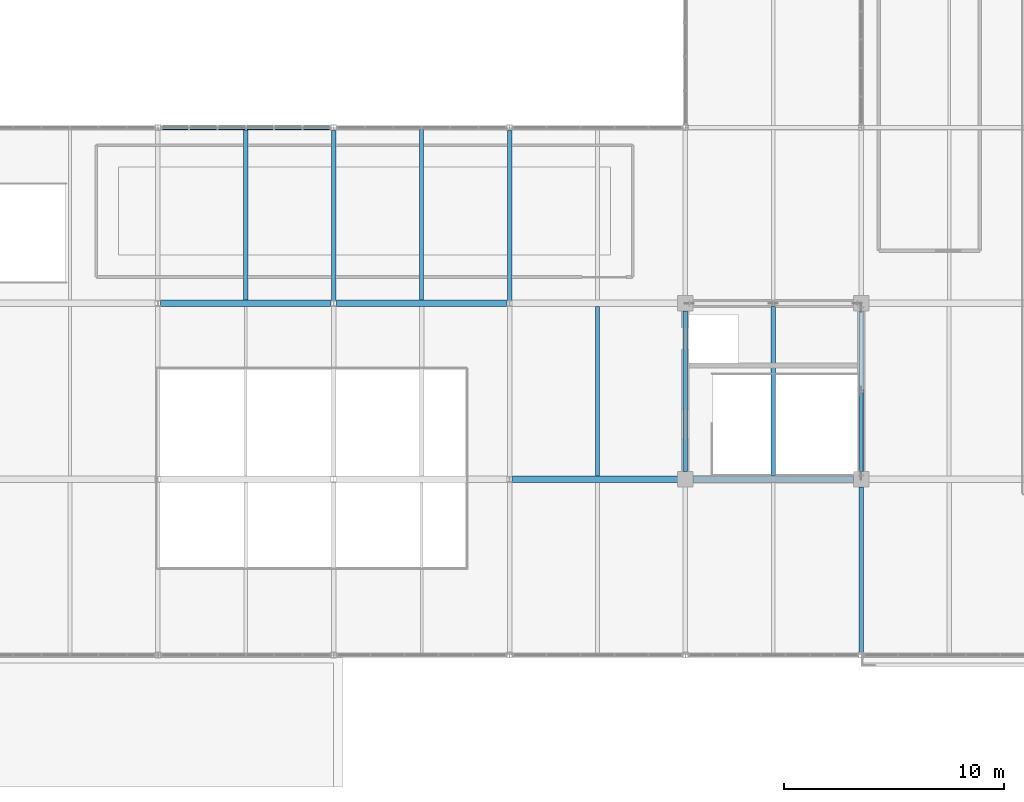
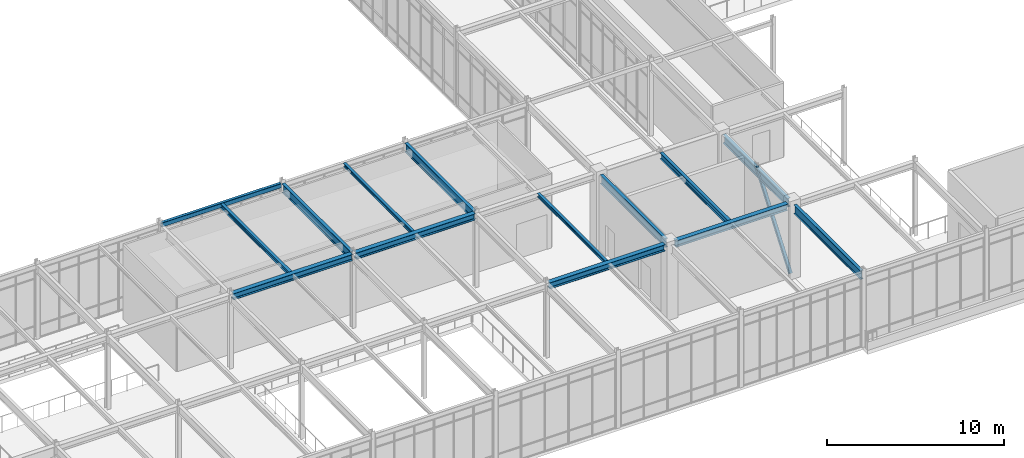
# One storey, part 53 of 184: 14 beams, 1 member.
"""IFC4 building model written with IfcOpenShell, lengths in metres."""

from ifc_helpers import new_model, si_unit, direction, frame, origin, origin_2d, place, context, subcontext, project, spatial, hollow_rectangle, i_section, extrude, material, material_profile, profile_set, type_object, element, save


model = new_model("IFC4")

# Units and contexts
model_context = context("Model", 3, precision=1e-05, world=origin(), true_north=direction((0.0, 1.0)))
body_context = subcontext(model_context, "Body", "Model", "MODEL_VIEW")
ifc_project = project(units=[si_unit("LENGTHUNIT", "METRE"), si_unit("AREAUNIT", "SQUARE_METRE"), si_unit("VOLUMEUNIT", "CUBIC_METRE"), si_unit("PLANEANGLEUNIT", "RADIAN"), si_unit("MASSUNIT", "GRAM", prefix="KILO")], contexts=[model_context])

# Site, building, storey
site_placement = place(None, origin())
site = spatial("IfcSite", under=ifc_project, at=site_placement, CompositionType="ELEMENT")
building_placement = place(site_placement, origin())
building = spatial("IfcBuilding", under=site, at=building_placement, Name="Zhaolan Boulevard Law Courts", CompositionType="ELEMENT")
storey_placement = place(building_placement, frame((0.0, 0.0, 5.39990234375)))
storey = spatial("IfcBuildingStorey", under=building, at=storey_placement, Name="L01", CompositionType="ELEMENT", Elevation=5.39990234375)

# Member
ifc_material_1 = material(Name="Structural steel Q355B", Category="steel")
ifc_material_profile_1 = material_profile(ifc_material_1, hollow_rectangle(XDim=0.199951171875, YDim=0.199951171875, WallThickness=0.010009765625, InnerFilletRadius=0.010009765625, OuterFilletRadius=0.02001953125, at=origin_2d()), Name="HSS200x200x10")
ifc_profile_set_1 = profile_set([ifc_material_profile_1], Name="Structural steel Q355B")
member_type = type_object("IfcMemberType", Name="BRACE HSS200", PredefinedType="BRACE", material=ifc_profile_set_1)
member_placement = place(storey_placement, frame((124.0, 14.179931640625, 0.030029296875), z_axis=(0.0, 0.600251625626, 0.799811218935), x_axis=(-1.0, 0.0, 0.0)))
element("IfcMember", 1, at=member_placement, inside=storey, type_object=member_type, Name="Core Brace BR-P2-L01-E1", PredefinedType="BRACE", context=body_context, shape_type="SweptSolid", body=[
    extrude(hollow_rectangle(XDim=0.199951171875, YDim=0.199951171875, WallThickness=0.010009765625, InnerFilletRadius=0.010009765625, OuterFilletRadius=0.02001953125, at=origin_2d()), origin(), (0.0, 0.0, 1.0), 6.364013671875),
])

# Beams
ifc_material_2 = material(Name="Structural steel Q355B", Category="steel")
ifc_material_profile_2 = material_profile(ifc_material_2, i_section(OverallWidth=0.300048828125, OverallDepth=0.43994140625, WebThickness=0.010986328125, FlangeThickness=0.01806640625, FilletRadius=0.02001953125, at=origin_2d()), Name="HM440x300")
ifc_profile_set_2 = profile_set([ifc_material_profile_2], Name="Structural steel Q355B")
beam_type_1 = type_object("IfcBeamType", Name="GIRDER HM440", PredefinedType="BEAM", material=ifc_profile_set_2)
beam_1_placement = place(storey_placement, frame((108.12109375, 14.0, 4.918212890625), z_axis=(1.0, 0.0, 0.0), x_axis=(0.0, 1.0, 0.0)))
element("IfcBeam", 2, at=beam_1_placement, inside=storey, type_object=beam_type_1, Name="Beam BX-L02-14-15-C", PredefinedType="BEAM", context=body_context, shape_type="SweptSolid", body=[
    extrude(i_section(OverallWidth=0.300048828125, OverallDepth=0.43994140625, WebThickness=0.010986328125, FlangeThickness=0.01806640625, FilletRadius=0.02001953125, at=origin_2d()), origin(), (0.0, 0.0, 1.0), 7.532958984375),
])
beam_2_placement = place(storey_placement, frame((116.345947265625, 14.0, 4.918212890625), z_axis=(1.0, 0.0, 0.0), x_axis=(0.0, 1.0, 0.0)))
element("IfcBeam", 3, at=beam_2_placement, inside=storey, type_object=beam_type_1, Name="Beam BX-L02-15-16-C", PredefinedType="BEAM", context=body_context, shape_type="SweptSolid", body=[
    extrude(i_section(OverallWidth=0.300048828125, OverallDepth=0.43994140625, WebThickness=0.010986328125, FlangeThickness=0.01806640625, FilletRadius=0.02001953125, at=origin_2d()), origin(), (0.0, 0.0, 1.0), 7.30810546875),
])
for number, where, z_axis, x_axis, name in (
    (4, (92.12109375, 22.0, 4.918212890625), (1.0, 0.0, 0.0), (0.0, 1.0, 0.0), "Beam BX-L02-12-13-D"),
    (5, (100.12109375, 22.0, 4.918212890625), (1.0, 0.0, 0.0), (0.0, 1.0, 0.0), "Beam BX-L02-13-14-D"),
):
    element("IfcBeam", number, at=place(storey_placement, frame(where, z_axis=z_axis, x_axis=x_axis)), inside=storey, type_object=beam_type_1, Name=name, PredefinedType="BEAM", context=body_context, shape_type="SweptSolid", body=[
        extrude(i_section(OverallWidth=0.300048828125, OverallDepth=0.43994140625, WebThickness=0.010986328125, FlangeThickness=0.01806640625, FilletRadius=0.02001953125, at=origin_2d()), origin(), (0.0, 0.0, 1.0), 7.7578125),
    ])
ifc_material_3 = material(Name="Structural steel Q355B", Category="steel")
ifc_material_profile_3 = material_profile(ifc_material_3, i_section(OverallWidth=0.199951171875, OverallDepth=0.60009765625, WebThickness=0.010986328125, FlangeThickness=0.01708984375, FilletRadius=0.02001953125, at=origin_2d()), Name="HN600x200")
ifc_profile_set_3 = profile_set([ifc_material_profile_3], Name="Structural steel Q355B")
beam_type_2 = type_object("IfcBeamType", Name="GIRDER HN600", PredefinedType="BEAM", material=ifc_profile_set_3)
for number, where, z_axis, x_axis, name in (
    (6, (100.0, 22.12109375, 4.838134765625), (0.0, 1.0, 0.0), (-1.0, 0.0, 0.0), "Beam BY-L02-13-D-E"),
    (7, (108.0, 22.12109375, 4.838134765625), (0.0, 1.0, 0.0), (-1.0, 0.0, 0.0), "Beam BY-L02-14-D-E"),
):
    element("IfcBeam", number, at=place(storey_placement, frame(where, z_axis=z_axis, x_axis=x_axis)), inside=storey, type_object=beam_type_2, Name=name, PredefinedType="BEAM", context=body_context, shape_type="SweptSolid", body=[
        extrude(i_section(OverallWidth=0.199951171875, OverallDepth=0.60009765625, WebThickness=0.010986328125, FlangeThickness=0.01708984375, FilletRadius=0.02001953125, at=origin_2d()), origin(), (0.0, 0.0, 1.0), 7.7578125),
    ])
beam_3_placement = place(storey_placement, frame((116.0, 14.345947265625, 4.838134765625), z_axis=(0.0, 1.0, 0.0), x_axis=(-1.0, 0.0, 0.0)))
element("IfcBeam", 8, at=beam_3_placement, inside=storey, type_object=beam_type_2, Name="Beam BY-L02-15-C-D", PredefinedType="BEAM", context=body_context, shape_type="SweptSolid", body=[
    extrude(i_section(OverallWidth=0.199951171875, OverallDepth=0.60009765625, WebThickness=0.010986328125, FlangeThickness=0.01708984375, FilletRadius=0.02001953125, at=origin_2d()), origin(), (0.0, 0.0, 1.0), 7.30810546875),
])
beam_4_placement = place(storey_placement, frame((124.0, 6.12109375, 4.818115234375), z_axis=(0.0, 1.0, 0.0), x_axis=(-1.0, 0.0, 0.0)))
element("IfcBeam", 9, at=beam_4_placement, inside=storey, type_object=beam_type_2, Name="Beam BY-L02-16-B-C", PredefinedType="BEAM", context=body_context, shape_type="SweptSolid", body=[
    extrude(i_section(OverallWidth=0.199951171875, OverallDepth=0.60009765625, WebThickness=0.010986328125, FlangeThickness=0.01708984375, FilletRadius=0.02001953125, at=origin_2d()), origin(), (0.0, 0.0, 1.0), 7.532958984375),
])
beam_5_placement = place(storey_placement, frame((124.0, 14.345947265625, 4.818115234375), z_axis=(0.0, 1.0, 0.0), x_axis=(-1.0, 0.0, 0.0)))
element("IfcBeam", 10, at=beam_5_placement, inside=storey, type_object=beam_type_2, Name="Beam BY-L02-16-C-D", PredefinedType="BEAM", context=body_context, shape_type="SweptSolid", body=[
    extrude(i_section(OverallWidth=0.199951171875, OverallDepth=0.60009765625, WebThickness=0.010986328125, FlangeThickness=0.01708984375, FilletRadius=0.02001953125, at=origin_2d()), origin(), (0.0, 0.0, 1.0), 7.30810546875),
])
ifc_material_4 = material(Name="Structural steel Q355B", Category="steel")
ifc_material_profile_4 = material_profile(ifc_material_4, i_section(OverallWidth=0.175048828125, OverallDepth=0.243896484375, WebThickness=0.007080078125, FlangeThickness=0.010986328125, FilletRadius=0.012939453125, at=origin_2d()), Name="HM244x175")
ifc_profile_set_4 = profile_set([ifc_material_profile_4], Name="Structural steel Q355B")
beam_type_3 = type_object("IfcBeamType", Name="JOIST HM244", PredefinedType="JOIST", material=ifc_profile_set_4)
beam_6_placement = place(storey_placement, frame((104.0, 22.14599609375, 5.01611328125), z_axis=(0.0, 1.0, 0.0), x_axis=(-1.0, 0.0, 0.0)))
element("IfcBeam", 11, at=beam_6_placement, inside=storey, type_object=beam_type_3, Name="Composite Joist J-L02-13D", PredefinedType="JOIST", context=body_context, shape_type="SweptSolid", body=[
    extrude(i_section(OverallWidth=0.175048828125, OverallDepth=0.243896484375, WebThickness=0.007080078125, FlangeThickness=0.010986328125, FilletRadius=0.012939453125, at=origin_2d()), origin(), (0.0, 0.0, 1.0), 7.758056640625),
])
beam_7_placement = place(storey_placement, frame((112.0, 14.14599609375, 5.01611328125), z_axis=(0.0, 1.0, 0.0), x_axis=(-1.0, 0.0, 0.0)))
element("IfcBeam", 12, at=beam_7_placement, inside=storey, type_object=beam_type_3, Name="Composite Joist J-L02-14C", PredefinedType="JOIST", context=body_context, shape_type="SweptSolid", body=[
    extrude(i_section(OverallWidth=0.175048828125, OverallDepth=0.243896484375, WebThickness=0.007080078125, FlangeThickness=0.010986328125, FilletRadius=0.012939453125, at=origin_2d()), origin(), (0.0, 0.0, 1.0), 7.7080078125),
])
ifc_material_5 = material(Name="Structural steel Q355B", Category="steel")
ifc_material_profile_5 = material_profile(ifc_material_5, i_section(OverallWidth=0.199951171875, OverallDepth=0.2939453125, WebThickness=0.008056640625, FlangeThickness=0.011962890625, FilletRadius=0.01611328125, at=origin_2d()), Name="HM294x200")
ifc_profile_set_5 = profile_set([ifc_material_profile_5], Name="Structural steel Q355B")
beam_type_4 = type_object("IfcBeamType", Name="JOIST HM294", PredefinedType="JOIST", material=ifc_profile_set_5)
beam_8_placement = place(storey_placement, frame((96.0, 22.14599609375, 4.9912109375), z_axis=(0.0, 1.0, 0.0), x_axis=(-1.0, 0.0, 0.0)))
element("IfcBeam", 13, at=beam_8_placement, inside=storey, type_object=beam_type_4, Name="Composite Joist J-L02-12D", PredefinedType="JOIST", context=body_context, shape_type="SweptSolid", body=[
    extrude(i_section(OverallWidth=0.199951171875, OverallDepth=0.2939453125, WebThickness=0.008056640625, FlangeThickness=0.011962890625, FilletRadius=0.01611328125, at=origin_2d()), origin(), (0.0, 0.0, 1.0), 7.758056640625),
])
ifc_material_6 = material(Name="Structural steel Q355B", Category="steel")
ifc_material_profile_6 = material_profile(ifc_material_6, i_section(OverallWidth=0.199951171875, OverallDepth=0.39990234375, WebThickness=0.008056640625, FlangeThickness=0.012939453125, FilletRadius=0.013916015625, at=origin_2d()), Name="HN400x200")
ifc_profile_set_6 = profile_set([ifc_material_profile_6], Name="Structural steel Q355B")
beam_type_5 = type_object("IfcBeamType", Name="JOIST HN400", PredefinedType="JOIST", material=ifc_profile_set_6)
beam_9_placement = place(storey_placement, frame((120.0, 14.14599609375, 4.93798828125), z_axis=(0.0, 1.0, 0.0), x_axis=(-1.0, 0.0, 0.0)))
element("IfcBeam", 14, at=beam_9_placement, inside=storey, type_object=beam_type_5, Name="Composite Joist J-L02-15C", PredefinedType="JOIST", context=body_context, shape_type="SweptSolid", body=[
    extrude(i_section(OverallWidth=0.199951171875, OverallDepth=0.39990234375, WebThickness=0.008056640625, FlangeThickness=0.012939453125, FilletRadius=0.013916015625, at=origin_2d()), origin(), (0.0, 0.0, 1.0), 7.7080078125),
])
ifc_material_7 = material(Name="Structural steel Q355B", Category="steel")
ifc_material_profile_7 = material_profile(ifc_material_7, hollow_rectangle(XDim=0.199951171875, YDim=0.300048828125, WallThickness=0.011962890625, InnerFilletRadius=0.011962890625, OuterFilletRadius=0.02392578125, at=origin_2d()), Name="HSS300x200x12")
ifc_profile_set_7 = profile_set([ifc_material_profile_7], Name="Structural steel Q355B")
beam_type_6 = type_object("IfcBeamType", Name="SPANDREL HSS300", PredefinedType="SPANDREL", material=ifc_profile_set_7)
beam_10_placement = place(storey_placement, frame((92.12109375, 30.0, 4.988037109375), z_axis=(1.0, 0.0, 0.0), x_axis=(0.0, 1.0, 0.0)))
element("IfcBeam", 15, at=beam_10_placement, inside=storey, type_object=beam_type_6, Name="Beam BX-L02-12-13-E", PredefinedType="SPANDREL", context=body_context, shape_type="SweptSolid", body=[
    extrude(hollow_rectangle(XDim=0.199951171875, YDim=0.300048828125, WallThickness=0.011962890625, InnerFilletRadius=0.011962890625, OuterFilletRadius=0.02392578125, at=origin_2d()), origin(), (0.0, 0.0, 1.0), 7.7578125),
])

save(model, "model.ifc")
